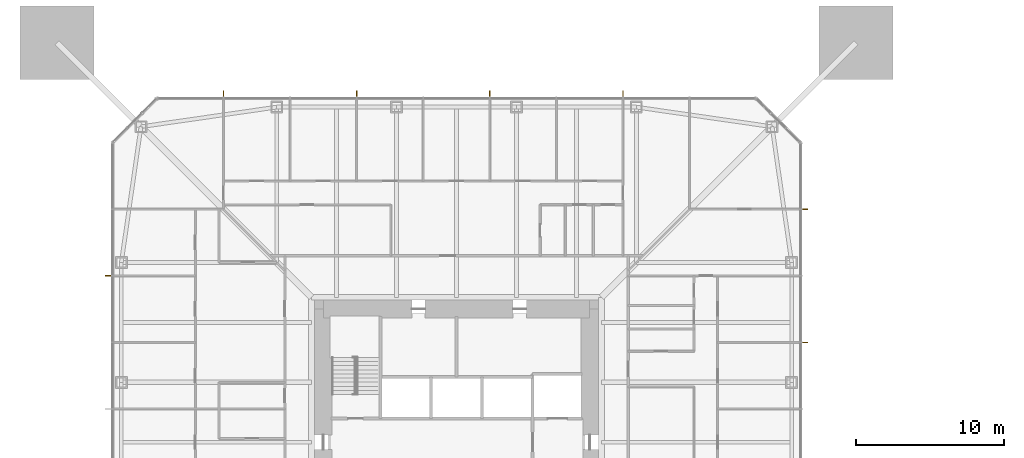
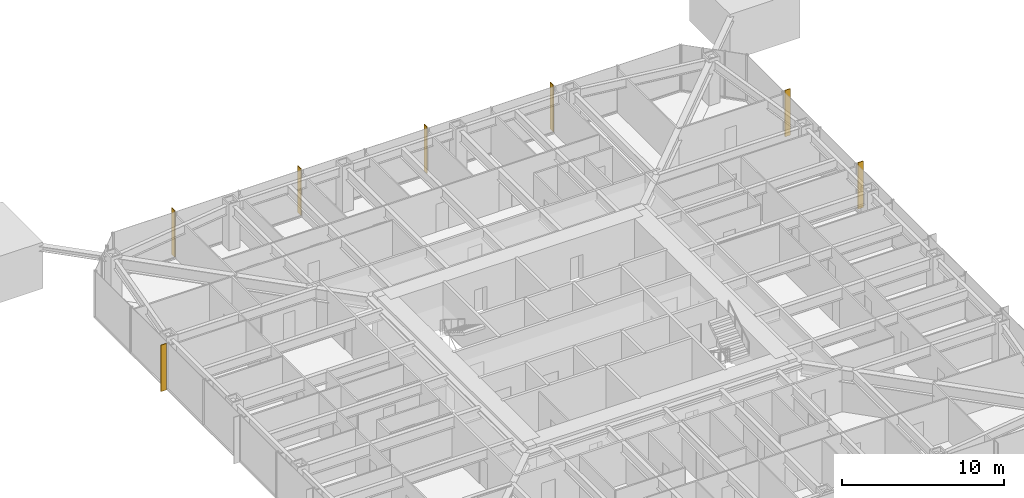
# One storey, part 25 of 26: 7 shading devices.
"""IFC4 building model written with IfcOpenShell, lengths in metres."""

from ifc_helpers import new_model, si_unit, direction, frame, origin, origin_2d, place, context, subcontext, project, spatial, rectangle, extrude, material, layer, layer_set, type_object, element, save


model = new_model("IFC4")

# Units and contexts
model_context = context("Model", 3, precision=1e-05, world=origin(), true_north=direction((0.0, 1.0)))
body_context = subcontext(model_context, "Body", "Model", "MODEL_VIEW")
ifc_project = project(units=[si_unit("LENGTHUNIT", "METRE"), si_unit("AREAUNIT", "SQUARE_METRE"), si_unit("VOLUMEUNIT", "CUBIC_METRE"), si_unit("PLANEANGLEUNIT", "RADIAN"), si_unit("MASSUNIT", "GRAM", prefix="KILO")], contexts=[model_context])

# Site, building, storey
site_placement = place(None, origin())
site = spatial("IfcSite", under=ifc_project, at=site_placement, CompositionType="ELEMENT")
building_placement = place(site_placement, origin())
building = spatial("IfcBuilding", under=site, at=building_placement, Name="Iwan Alto Co-Living Towers", CompositionType="ELEMENT")
storey_placement = place(building_placement, frame((0.0, 0.0, 57.0)))
storey = spatial("IfcBuildingStorey", under=building, at=storey_placement, Name="L15", CompositionType="ELEMENT", Elevation=57.0)

# Shading devices
ifc_material = material(Name="Aluminium 6063-T6 bronze anodised", Category="aluminium")
ifc_layer = layer(ifc_material, 0.050048828125)
ifc_layer_set = layer_set([ifc_layer], Name="BRONZE FIN 50X400")
shading_device_type = type_object("IfcShadingDeviceType", Name="BRONZE FIN 50X400", PredefinedType="USERDEFINED", material=ifc_layer_set)
for number, where, z_axis, x_axis, name in (
    (1, (23.550048828125, 6.75, 0.0), (0.0, 0.0, 1.0), (0.0, 1.0, 0.0), "Bronze fin L15"),
    (2, (23.550048828125, 15.75, 0.0), (0.0, 0.0, 1.0), (0.0, 1.0, 0.0), "Bronze fin L15"),
    (3, (11.25, 23.550048828125, 0.0), (0.0, 0.0, 1.0), (-1.0, 0.0, 0.0), "Bronze fin L15"),
    (4, (2.25, 23.550048828125, 0.0), (0.0, 0.0, 1.0), (-1.0, 0.0, 0.0), "Bronze fin L15"),
    (5, (-6.75, 23.550048828125, 0.0), (0.0, 0.0, 1.0), (-1.0, 0.0, 0.0), "Bronze fin L15"),
    (6, (-15.75, 23.550048828125, 0.0), (0.0, 0.0, 1.0), (-1.0, 0.0, 0.0), "Bronze fin L15"),
    (7, (-23.550048828125, 11.25, 0.0), (0.0, 0.0, 1.0), (0.0, -1.0, 0.0), "Bronze fin L15"),
):
    element("IfcShadingDevice", number, at=place(storey_placement, frame(where, z_axis=z_axis, x_axis=x_axis)), inside=storey, type_object=shading_device_type, Name=name, ObjectType="LOUVER", PredefinedType="USERDEFINED", context=body_context, shape_type="SweptSolid", body=[
        extrude(rectangle(XDim=0.050048828125, YDim=0.39990234375, at=origin_2d()), origin(), (0.0, 0.0, 1.0), 3.5),
    ])

save(model, "model.ifc")
